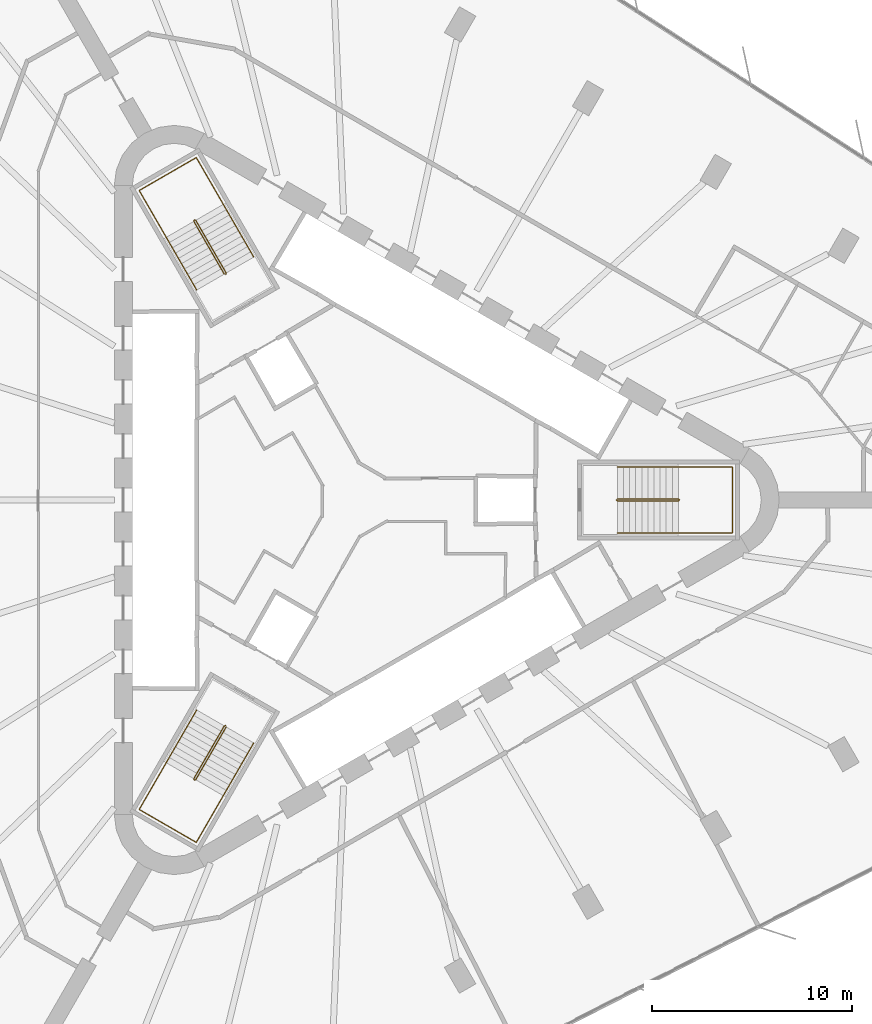
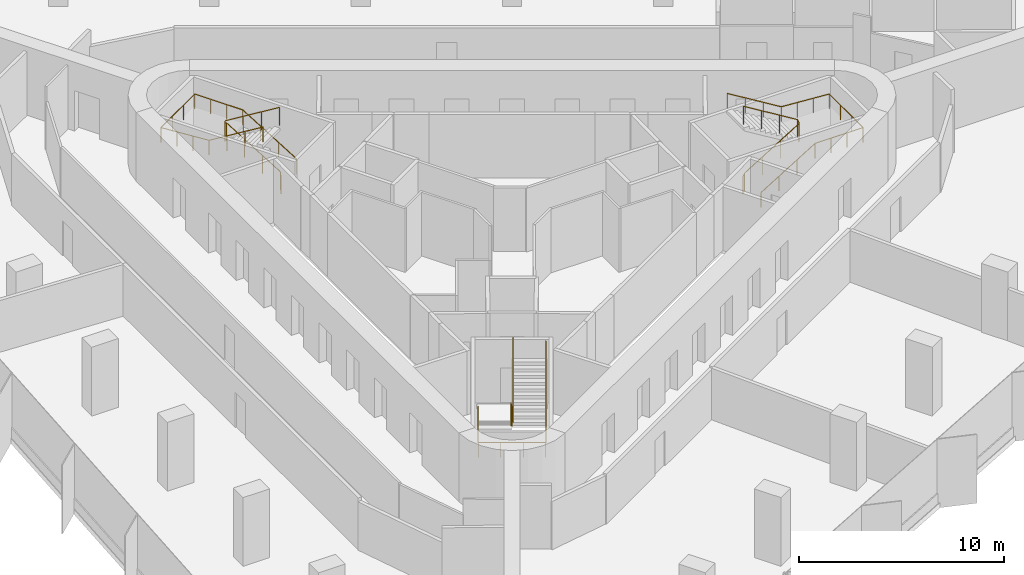
# One storey, part 14 of 14: 6 railings.
"""IFC4 building model written with IfcOpenShell, lengths in metres."""

from ifc_helpers import new_model, si_unit, direction, frame, origin, origin_2d, place, context, subcontext, project, spatial, circle, extrude, material, type_object, element, save


model = new_model("IFC4")

# Units and contexts
model_context = context("Model", 3, precision=1e-05, world=origin(), true_north=direction((0.0, 1.0)))
body_context = subcontext(model_context, "Body", "Model", "MODEL_VIEW")
ifc_project = project(units=[si_unit("LENGTHUNIT", "METRE"), si_unit("AREAUNIT", "SQUARE_METRE"), si_unit("VOLUMEUNIT", "CUBIC_METRE"), si_unit("PLANEANGLEUNIT", "RADIAN"), si_unit("MASSUNIT", "GRAM", prefix="KILO")], contexts=[model_context])

# Site, building, storey
site_placement = place(None, origin())
site = spatial("IfcSite", under=ifc_project, at=site_placement, CompositionType="ELEMENT")
building_placement = place(site_placement, origin())
building = spatial("IfcBuilding", under=site, at=building_placement, Name="Tanit Gate Tower", CompositionType="ELEMENT")
storey_placement = place(building_placement, frame((0.0, 0.0, 74.199951171875)))
storey = spatial("IfcBuildingStorey", under=building, at=storey_placement, Name="L14", CompositionType="ELEMENT", Elevation=74.199951171875)

# Railings
ifc_material_1 = material(Name="Stainless steel balustrade", Category="steel")
railing_type_1 = type_object("IfcRailingType", Name="INT-STAIR-GUARD", PredefinedType="GUARDRAIL", material=ifc_material_1)
railing_1_placement = place(storey_placement, frame((13.044921875, 0.0048828125, 0.0)))
element("IfcRailing", 1, at=railing_1_placement, inside=storey, type_object=railing_type_1, Name="L14 S1 stair guard 1", PredefinedType="GUARDRAIL", context=body_context, shape_type="SweptSolid", body=[
    extrude(circle(Radius=0.02392578125, at=origin_2d()), frame((0.0, 0.0, 1.076171875), z_axis=(0.0, -1.0, 0.0), x_axis=(1.0, 0.0, 0.0)), (0.0, 0.0, 1.0), 0.009765625),
    extrude(circle(Radius=0.02392578125, at=origin_2d()), frame((0.0, -0.009765625, 1.076171875), z_axis=(0.250869701741, -0.250869701741, 0.934948546978), x_axis=(0.707106781187, 0.707106781187, 0.0)), (0.0, 0.0, 1.0), 0.199462890625),
    extrude(circle(Radius=0.02392578125, at=origin_2d()), frame((0.050048828125, -0.059814453125, 1.2626953125), z_axis=(0.853405036568, 0.0, 0.521248351134), x_axis=(0.0, 1.0, 0.0)), (0.0, 0.0, 1.0), 3.5751953125),
    extrude(circle(Radius=0.02392578125, at=origin_2d()), frame((3.10107421875, -0.059814453125, 3.1259765625), z_axis=(0.707106781187, 0.707106781187, 0.0), x_axis=(-0.707106781187, 0.707106781187, 0.0)), (0.0, 0.0, 1.0), 0.07080078125),
    extrude(circle(Radius=0.02392578125, at=origin_2d()), frame((3.151123046875, -0.009765625, 3.1259765625), z_axis=(0.0, 1.0, 0.0), x_axis=(-1.0, 0.0, 0.0)), (0.0, 0.0, 1.0), 0.009765625),
    extrude(circle(Radius=0.02392578125, at=origin_2d()), frame((3.151123046875, 0.0, 3.1259765625), z_axis=(-0.251157038772, 0.251157038772, 0.934794246747), x_axis=(-0.707106781187, -0.707106781187, 0.0)), (0.0, 0.0, 1.0), 0.19921875),
    extrude(circle(Radius=0.02392578125, at=origin_2d()), frame((3.10107421875, 0.050048828125, 3.3125), z_axis=(-0.853374658889, 0.0, 0.521298083217), x_axis=(0.0, -1.0, 0.0)), (0.0, 0.0, 1.0), 3.5751953125),
    extrude(circle(Radius=0.02099609375, at=origin_2d()), origin(), (0.0, 0.0, 1.0), 1.052001953125),
    extrude(circle(Radius=0.02099609375, at=origin_2d()), frame((0.0, -0.009765625, 0.0)), (0.0, 0.0, 1.0), 1.052001953125),
    extrude(circle(Radius=0.02099609375, at=origin_2d()), frame((0.050048828125, -0.059814453125, 0.1865234375)), (0.0, 0.0, 1.0), 1.052001953125),
    extrude(circle(Radius=0.02099609375, at=origin_2d()), frame((1.067138671875, -0.059814453125, 0.8076171875)), (0.0, 0.0, 1.0), 1.052001953125),
    extrude(circle(Radius=0.02099609375, at=origin_2d()), frame((2.083984375, -0.059814453125, 1.428955078125)), (0.0, 0.0, 1.0), 1.052001953125),
    extrude(circle(Radius=0.02099609375, at=origin_2d()), frame((3.10107421875, -0.059814453125, 2.050048828125)), (0.0, 0.0, 1.0), 1.052001953125),
    extrude(circle(Radius=0.02099609375, at=origin_2d()), frame((3.151123046875, -0.009765625, 2.050048828125)), (0.0, 0.0, 1.0), 1.052001953125),
    extrude(circle(Radius=0.02099609375, at=origin_2d()), frame((3.151123046875, 0.0, 2.050048828125)), (0.0, 0.0, 1.0), 1.052001953125),
    extrude(circle(Radius=0.02099609375, at=origin_2d()), frame((3.10107421875, 0.050048828125, 2.236328125)), (0.0, 0.0, 1.0), 1.052001953125),
    extrude(circle(Radius=0.02099609375, at=origin_2d()), frame((2.083984375, 0.050048828125, 2.857666015625)), (0.0, 0.0, 1.0), 1.052001953125),
    extrude(circle(Radius=0.02099609375, at=origin_2d()), frame((1.067138671875, 0.050048828125, 3.478759765625)), (0.0, 0.0, 1.0), 1.052001953125),
    extrude(circle(Radius=0.02099609375, at=origin_2d()), frame((0.050048828125, 0.050048828125, 4.10009765625)), (0.0, 0.0, 1.0), 1.052001953125),
])
railing_2_placement = place(storey_placement, frame((-6.527099609375, 11.29345703125, 0.0)))
element("IfcRailing", 2, at=railing_2_placement, inside=storey, type_object=railing_type_1, Name="L14 S2 stair guard 1", PredefinedType="GUARDRAIL", context=body_context, shape_type="SweptSolid", body=[
    extrude(circle(Radius=0.02392578125, at=origin_2d()), frame((0.0, 0.0, 1.076171875), z_axis=(0.868243142124, 0.496138938357, 0.0), x_axis=(-0.496138938357, 0.868243142124, 0.0)), (0.0, 0.0, 1.0), 0.01171875),
    extrude(circle(Radius=0.02392578125, at=origin_2d()), frame((0.01025390625, 0.005859375, 1.076171875), z_axis=(0.09178331637, 0.342657714447, 0.934966049419), x_axis=(-0.965948051503, 0.258736085224, 0.0)), (0.0, 0.0, 1.0), 0.199462890625),
    extrude(circle(Radius=0.02392578125, at=origin_2d()), frame((0.028564453125, 0.07421875, 1.2626953125), z_axis=(-0.426651696395, 0.73893750972, 0.521478366466), x_axis=(-0.866012246495, -0.500022788402, 0.0)), (0.0, 0.0, 1.0), 3.573486328125),
    extrude(circle(Radius=0.02392578125, at=origin_2d()), frame((-1.49609375, 2.71484375, 3.1259765625), z_axis=(-0.965715946433, 0.259601060869, 0.0), x_axis=(-0.259601060869, -0.965715946433, 0.0)), (0.0, 0.0, 1.0), 0.070556640625),
    extrude(circle(Radius=0.02392578125, at=origin_2d()), frame((-1.564208984375, 2.733154296875, 3.1259765625), z_axis=(-0.873197702015, -0.487366159264, 0.0), x_axis=(0.487366159264, -0.873197702015, 0.0)), (0.0, 0.0, 1.0), 0.011962890625),
    extrude(circle(Radius=0.02392578125, at=origin_2d()), frame((-1.57470703125, 2.727294921875, 3.1259765625), z_axis=(-0.091888445584, -0.343050196848, 0.93481178641), x_axis=(0.965948051503, -0.258736085224, 0.0)), (0.0, 0.0, 1.0), 0.19921875),
    extrude(circle(Radius=0.02392578125, at=origin_2d()), frame((-1.593017578125, 2.658935546875, 3.3125), z_axis=(0.426636495959, -0.738911183393, 0.521528104107), x_axis=(0.866012246495, 0.500022788402, 0.0)), (0.0, 0.0, 1.0), 3.57373046875),
    extrude(circle(Radius=0.02099609375, at=origin_2d()), origin(), (0.0, 0.0, 1.0), 1.052001953125),
    extrude(circle(Radius=0.02099609375, at=origin_2d()), frame((0.01025390625, 0.005859375, 0.0)), (0.0, 0.0, 1.0), 1.052001953125),
    extrude(circle(Radius=0.02099609375, at=origin_2d()), frame((0.028564453125, 0.07421875, 0.1865234375)), (0.0, 0.0, 1.0), 1.052001953125),
    extrude(circle(Radius=0.02099609375, at=origin_2d()), frame((-0.479736328125, 0.954345703125, 0.8076171875)), (0.0, 0.0, 1.0), 1.052001953125),
    extrude(circle(Radius=0.02099609375, at=origin_2d()), frame((-0.98779296875, 1.834716796875, 1.428955078125)), (0.0, 0.0, 1.0), 1.052001953125),
    extrude(circle(Radius=0.02099609375, at=origin_2d()), frame((-1.49609375, 2.71484375, 2.050048828125)), (0.0, 0.0, 1.0), 1.052001953125),
    extrude(circle(Radius=0.02099609375, at=origin_2d()), frame((-1.564208984375, 2.733154296875, 2.050048828125)), (0.0, 0.0, 1.0), 1.052001953125),
    extrude(circle(Radius=0.02099609375, at=origin_2d()), frame((-1.57470703125, 2.727294921875, 2.050048828125)), (0.0, 0.0, 1.0), 1.052001953125),
    extrude(circle(Radius=0.02099609375, at=origin_2d()), frame((-1.593017578125, 2.658935546875, 2.236328125)), (0.0, 0.0, 1.0), 1.052001953125),
    extrude(circle(Radius=0.02099609375, at=origin_2d()), frame((-1.084716796875, 1.77880859375, 2.857666015625)), (0.0, 0.0, 1.0), 1.052001953125),
    extrude(circle(Radius=0.02099609375, at=origin_2d()), frame((-0.57666015625, 0.8984375, 3.478759765625)), (0.0, 0.0, 1.0), 1.052001953125),
    extrude(circle(Radius=0.02099609375, at=origin_2d()), frame((-0.068359375, 0.018310546875, 4.10009765625)), (0.0, 0.0, 1.0), 1.052001953125),
])
railing_3_placement = place(storey_placement, frame((-6.51806640625, -11.2998046875, 0.0)))
element("IfcRailing", 3, at=railing_3_placement, inside=storey, type_object=railing_type_1, Name="L14 S3 stair guard 1", PredefinedType="GUARDRAIL", context=body_context, shape_type="SweptSolid", body=[
    extrude(circle(Radius=0.02392578125, at=origin_2d()), frame((0.0, 0.0, 1.076171875), z_axis=(-0.874157276122, 0.485642931179, 0.0), x_axis=(-0.485642931179, -0.874157276122, 0.0)), (0.0, 0.0, 1.0), 0.010009765625),
    extrude(circle(Radius=0.02392578125, at=origin_2d()), frame((-0.0087890625, 0.0048828125, 1.076171875), z_axis=(-0.342695952383, -0.090569644558, 0.935070384359), x_axis=(0.255512919477, -0.966805641264, 0.0)), (0.0, 0.0, 1.0), 0.199462890625),
    extrude(circle(Radius=0.02392578125, at=origin_2d()), frame((-0.0771484375, -0.01318359375, 1.2626953125), z_axis=(-0.426668548982, -0.73908990167, 0.521248565042), x_axis=(0.866048339477, -0.499960272111, 0.0)), (0.0, 0.0, 1.0), 3.5751953125),
    extrude(circle(Radius=0.02392578125, at=origin_2d()), frame((-1.6025390625, -2.655517578125, 3.1259765625), z_axis=(0.258736085224, -0.965948051503, 0.0), x_axis=(0.965948051503, 0.258736085224, 0.0)), (0.0, 0.0, 1.0), 0.07080078125),
    extrude(circle(Radius=0.02392578125, at=origin_2d()), frame((-1.584228515625, -2.723876953125, 3.1259765625), z_axis=(0.868243142124, -0.496138938357, 0.0), x_axis=(0.496138938357, 0.868243142124, 0.0)), (0.0, 0.0, 1.0), 0.009765625),
    extrude(circle(Radius=0.02392578125, at=origin_2d()), frame((-1.57568359375, -2.728759765625, 3.1259765625), z_axis=(0.343050196848, 0.091888445584, 0.93481178641), x_axis=(-0.258736085224, 0.965948051503, 0.0)), (0.0, 0.0, 1.0), 0.19921875),
    extrude(circle(Radius=0.02392578125, at=origin_2d()), frame((-1.50732421875, -2.71044921875, 3.3125), z_axis=(0.42673074944, 0.739011069041, 0.521309416102), x_axis=(-0.865993683553, 0.500054937028, 0.0)), (0.0, 0.0, 1.0), 3.5751953125),
    extrude(circle(Radius=0.02099609375, at=origin_2d()), origin(), (0.0, 0.0, 1.0), 1.052001953125),
    extrude(circle(Radius=0.02099609375, at=origin_2d()), frame((-0.0087890625, 0.0048828125, 0.0)), (0.0, 0.0, 1.0), 1.052001953125),
    extrude(circle(Radius=0.02099609375, at=origin_2d()), frame((-0.0771484375, -0.01318359375, 0.1865234375)), (0.0, 0.0, 1.0), 1.052001953125),
    extrude(circle(Radius=0.02099609375, at=origin_2d()), frame((-0.585693359375, -0.89404296875, 0.8076171875)), (0.0, 0.0, 1.0), 1.052001953125),
    extrude(circle(Radius=0.02099609375, at=origin_2d()), frame((-1.093994140625, -1.774658203125, 1.428955078125)), (0.0, 0.0, 1.0), 1.052001953125),
    extrude(circle(Radius=0.02099609375, at=origin_2d()), frame((-1.6025390625, -2.655517578125, 2.050048828125)), (0.0, 0.0, 1.0), 1.052001953125),
    extrude(circle(Radius=0.02099609375, at=origin_2d()), frame((-1.584228515625, -2.723876953125, 2.050048828125)), (0.0, 0.0, 1.0), 1.052001953125),
    extrude(circle(Radius=0.02099609375, at=origin_2d()), frame((-1.57568359375, -2.728759765625, 2.050048828125)), (0.0, 0.0, 1.0), 1.052001953125),
    extrude(circle(Radius=0.02099609375, at=origin_2d()), frame((-1.50732421875, -2.71044921875, 2.236328125)), (0.0, 0.0, 1.0), 1.052001953125),
    extrude(circle(Radius=0.02099609375, at=origin_2d()), frame((-0.998779296875, -1.829833984375, 2.857666015625)), (0.0, 0.0, 1.0), 1.052001953125),
    extrude(circle(Radius=0.02099609375, at=origin_2d()), frame((-0.490234375, -0.948974609375, 3.478759765625)), (0.0, 0.0, 1.0), 1.052001953125),
    extrude(circle(Radius=0.02099609375, at=origin_2d()), frame((0.018310546875, -0.068359375, 4.10009765625)), (0.0, 0.0, 1.0), 1.052001953125),
])
ifc_material_2 = material(Name="Stainless steel handrail", Category="steel")
railing_type_2 = type_object("IfcRailingType", Name="INT-STAIR-HANDRAIL", PredefinedType="HANDRAIL", material=ifc_material_2)
railing_4_placement = place(storey_placement, frame((13.094970703125, -1.64990234375, 0.1865234375)))
element("IfcRailing", 4, at=railing_4_placement, inside=storey, type_object=railing_type_2, Name="L14 S1 stair handrail 1", PredefinedType="HANDRAIL", context=body_context, shape_type="SweptSolid", body=[
    extrude(circle(Radius=0.02392578125, at=origin_2d()), frame((0.0, 0.0, 0.8759765625), z_axis=(0.853405036568, 0.0, 0.521248351134), x_axis=(0.0, 1.0, 0.0)), (0.0, 0.0, 1.0), 3.5751953125),
    extrude(circle(Radius=0.02392578125, at=origin_2d()), frame((3.051025390625, 0.0, 2.7392578125), z_axis=(1.0, 0.0, 0.0), x_axis=(0.0, 1.0, 0.0)), (0.0, 0.0, 1.0), 2.7041015625),
    extrude(circle(Radius=0.02392578125, at=origin_2d()), frame((5.755126953125, 0.0, 2.7392578125), z_axis=(0.0, 1.0, 0.0), x_axis=(-1.0, 0.0, 0.0)), (0.0, 0.0, 1.0), 3.2998046875),
    extrude(circle(Radius=0.02392578125, at=origin_2d()), frame((5.755126953125, 3.2998046875, 2.7392578125), z_axis=(-0.997635655124, 0.0, 0.06872481084), x_axis=(0.0, -1.0, 0.0)), (0.0, 0.0, 1.0), 2.71044921875),
    extrude(circle(Radius=0.02392578125, at=origin_2d()), frame((3.051025390625, 3.2998046875, 2.92578125), z_axis=(-0.853374658889, 0.0, 0.521298083217), x_axis=(0.0, -1.0, 0.0)), (0.0, 0.0, 1.0), 3.5751953125),
    extrude(circle(Radius=0.02099609375, at=origin_2d()), origin(), (0.0, 0.0, 1.0), 0.851806640625),
    extrude(circle(Radius=0.02099609375, at=origin_2d()), frame((1.01708984375, 0.0, 0.62109375)), (0.0, 0.0, 1.0), 0.851806640625),
    extrude(circle(Radius=0.02099609375, at=origin_2d()), frame((2.033935546875, 0.0, 1.242431640625)), (0.0, 0.0, 1.0), 0.851806640625),
    extrude(circle(Radius=0.02099609375, at=origin_2d()), frame((3.051025390625, 0.0, 1.863525390625)), (0.0, 0.0, 1.0), 0.851806640625),
    extrude(circle(Radius=0.02099609375, at=origin_2d()), frame((3.952392578125, 0.0, 1.863525390625)), (0.0, 0.0, 1.0), 0.851806640625),
    extrude(circle(Radius=0.02099609375, at=origin_2d()), frame((4.853759765625, 0.0, 1.863525390625)), (0.0, 0.0, 1.0), 0.851806640625),
    extrude(circle(Radius=0.02099609375, at=origin_2d()), frame((5.755126953125, 0.0, 1.863525390625)), (0.0, 0.0, 1.0), 0.851806640625),
    extrude(circle(Radius=0.02099609375, at=origin_2d()), frame((5.755126953125, 1.099853515625, 1.863525390625)), (0.0, 0.0, 1.0), 0.851806640625),
    extrude(circle(Radius=0.02099609375, at=origin_2d()), frame((5.755126953125, 2.199951171875, 1.863525390625)), (0.0, 0.0, 1.0), 0.851806640625),
    extrude(circle(Radius=0.02099609375, at=origin_2d()), frame((5.755126953125, 3.2998046875, 1.863525390625)), (0.0, 0.0, 1.0), 0.851806640625),
    extrude(circle(Radius=0.02099609375, at=origin_2d()), frame((4.853759765625, 3.2998046875, 1.925537109375)), (0.0, 0.0, 1.0), 0.851806640625),
    extrude(circle(Radius=0.02099609375, at=origin_2d()), frame((3.952392578125, 3.2998046875, 1.98779296875)), (0.0, 0.0, 1.0), 0.851806640625),
    extrude(circle(Radius=0.02099609375, at=origin_2d()), frame((3.051025390625, 3.2998046875, 2.0498046875)), (0.0, 0.0, 1.0), 0.851806640625),
    extrude(circle(Radius=0.02099609375, at=origin_2d()), frame((2.033935546875, 3.2998046875, 2.671142578125)), (0.0, 0.0, 1.0), 0.851806640625),
    extrude(circle(Radius=0.02099609375, at=origin_2d()), frame((1.01708984375, 3.2998046875, 3.292236328125)), (0.0, 0.0, 1.0), 0.851806640625),
    extrude(circle(Radius=0.02099609375, at=origin_2d()), frame((0.0, 3.2998046875, 3.91357421875)), (0.0, 0.0, 1.0), 0.851806640625),
])
railing_5_placement = place(storey_placement, frame((-5.1181640625, 12.164794921875, 0.1865234375)))
element("IfcRailing", 5, at=railing_5_placement, inside=storey, type_object=railing_type_2, Name="L14 S2 stair handrail 1", PredefinedType="HANDRAIL", context=body_context, shape_type="SweptSolid", body=[
    extrude(circle(Radius=0.02392578125, at=origin_2d()), frame((0.0, 0.0, 0.8759765625), z_axis=(-0.426595811233, 0.738959047773, 0.521493566166), x_axis=(-0.866046917185, -0.499962735845, 0.0)), (0.0, 0.0, 1.0), 3.573486328125),
    extrude(circle(Radius=0.02392578125, at=origin_2d()), frame((-1.5244140625, 2.640625, 2.7392578125), z_axis=(-0.500019123664, 0.86601436245, 0.0), x_axis=(-0.86601436245, -0.500019123664, 0.0)), (0.0, 0.0, 1.0), 2.70703125),
    extrude(circle(Radius=0.02392578125, at=origin_2d()), frame((-2.8779296875, 4.98486328125, 2.7392578125), z_axis=(-0.866008176907, -0.50002983664, 0.0), x_axis=(0.50002983664, -0.866008176907, 0.0)), (0.0, 0.0, 1.0), 3.300048828125),
    extrude(circle(Radius=0.02392578125, at=origin_2d()), frame((-5.73583984375, 3.334716796875, 2.7392578125), z_axis=(0.498878146149, -0.863948246966, 0.06865873476), x_axis=(0.865991810323, 0.500058181068, 0.0)), (0.0, 0.0, 1.0), 2.713134765625),
    extrude(circle(Radius=0.02392578125, at=origin_2d()), frame((-4.38232421875, 0.99072265625, 2.92578125), z_axis=(0.42661496006, -0.738942197433, 0.521501778238), x_axis=(0.866032263162, 0.499988119021, 0.0)), (0.0, 0.0, 1.0), 3.57373046875),
    extrude(circle(Radius=0.02099609375, at=origin_2d()), origin(), (0.0, 0.0, 1.0), 0.851806640625),
    extrude(circle(Radius=0.02099609375, at=origin_2d()), frame((-0.508056640625, 0.880126953125, 0.62109375)), (0.0, 0.0, 1.0), 0.851806640625),
    extrude(circle(Radius=0.02099609375, at=origin_2d()), frame((-1.016357421875, 1.760498046875, 1.242431640625)), (0.0, 0.0, 1.0), 0.851806640625),
    extrude(circle(Radius=0.02099609375, at=origin_2d()), frame((-1.5244140625, 2.640625, 1.863525390625)), (0.0, 0.0, 1.0), 0.851806640625),
    extrude(circle(Radius=0.02099609375, at=origin_2d()), frame((-1.9755859375, 3.422119140625, 1.863525390625)), (0.0, 0.0, 1.0), 0.851806640625),
    extrude(circle(Radius=0.02099609375, at=origin_2d()), frame((-2.4267578125, 4.203369140625, 1.863525390625)), (0.0, 0.0, 1.0), 0.851806640625),
    extrude(circle(Radius=0.02099609375, at=origin_2d()), frame((-2.8779296875, 4.98486328125, 1.863525390625)), (0.0, 0.0, 1.0), 0.851806640625),
    extrude(circle(Radius=0.02099609375, at=origin_2d()), frame((-3.83056640625, 4.434814453125, 1.863525390625)), (0.0, 0.0, 1.0), 0.851806640625),
    extrude(circle(Radius=0.02099609375, at=origin_2d()), frame((-4.783203125, 3.884765625, 1.863525390625)), (0.0, 0.0, 1.0), 0.851806640625),
    extrude(circle(Radius=0.02099609375, at=origin_2d()), frame((-5.73583984375, 3.334716796875, 1.863525390625)), (0.0, 0.0, 1.0), 0.851806640625),
    extrude(circle(Radius=0.02099609375, at=origin_2d()), frame((-5.28466796875, 2.553466796875, 1.925537109375)), (0.0, 0.0, 1.0), 0.851806640625),
    extrude(circle(Radius=0.02099609375, at=origin_2d()), frame((-4.83349609375, 1.77197265625, 1.98779296875)), (0.0, 0.0, 1.0), 0.851806640625),
    extrude(circle(Radius=0.02099609375, at=origin_2d()), frame((-4.38232421875, 0.99072265625, 2.0498046875)), (0.0, 0.0, 1.0), 0.851806640625),
    extrude(circle(Radius=0.02099609375, at=origin_2d()), frame((-3.8740234375, 0.1103515625, 2.671142578125)), (0.0, 0.0, 1.0), 0.851806640625),
    extrude(circle(Radius=0.02099609375, at=origin_2d()), frame((-3.365966796875, -0.769775390625, 3.292236328125)), (0.0, 0.0, 1.0), 0.851806640625),
    extrude(circle(Radius=0.02099609375, at=origin_2d()), frame((-2.857666015625, -1.650146484375, 3.91357421875)), (0.0, 0.0, 1.0), 0.851806640625),
])
railing_6_placement = place(storey_placement, frame((-7.9765625, -10.515625, 0.1865234375)))
element("IfcRailing", 6, at=railing_6_placement, inside=storey, type_object=railing_type_2, Name="L14 S3 stair handrail 1", PredefinedType="HANDRAIL", context=body_context, shape_type="SweptSolid", body=[
    extrude(circle(Radius=0.02392578125, at=origin_2d()), frame((0.0, 0.0, 0.8759765625), z_axis=(-0.426668548982, -0.73908990167, 0.521248565042), x_axis=(0.866048339477, -0.499960272111, 0.0)), (0.0, 0.0, 1.0), 3.5751953125),
    extrude(circle(Radius=0.02392578125, at=origin_2d()), frame((-1.525390625, -2.642333984375, 2.7392578125), z_axis=(-0.50004290449, -0.866000631449, 0.0), x_axis=(0.866000631449, -0.50004290449, 0.0)), (0.0, 0.0, 1.0), 2.703857421875),
    extrude(circle(Radius=0.02392578125, at=origin_2d()), frame((-2.87744140625, -4.98388671875, 2.7392578125), z_axis=(0.866008176907, -0.50002983664, 0.0), x_axis=(0.50002983664, 0.866008176907, 0.0)), (0.0, 0.0, 1.0), 3.300048828125),
    extrude(circle(Radius=0.02392578125, at=origin_2d()), frame((-0.01953125, -6.634033203125, 2.7392578125), z_axis=(0.498821607388, 0.86397559734, 0.068725331607), x_axis=(-0.866023205937, 0.500003806764, 0.0)), (0.0, 0.0, 1.0), 2.71044921875),
    extrude(circle(Radius=0.02392578125, at=origin_2d()), frame((1.33251953125, -4.292236328125, 2.92578125), z_axis=(0.42665336134, 0.739063593114, 0.52129829713), x_axis=(-0.866048339477, 0.499960272111, 0.0)), (0.0, 0.0, 1.0), 3.5751953125),
    extrude(circle(Radius=0.02099609375, at=origin_2d()), origin(), (0.0, 0.0, 1.0), 0.851806640625),
    extrude(circle(Radius=0.02099609375, at=origin_2d()), frame((-0.508544921875, -0.880859375, 0.62109375)), (0.0, 0.0, 1.0), 0.851806640625),
    extrude(circle(Radius=0.02099609375, at=origin_2d()), frame((-1.016845703125, -1.761474609375, 1.242431640625)), (0.0, 0.0, 1.0), 0.851806640625),
    extrude(circle(Radius=0.02099609375, at=origin_2d()), frame((-1.525390625, -2.642333984375, 1.863525390625)), (0.0, 0.0, 1.0), 0.851806640625),
    extrude(circle(Radius=0.02099609375, at=origin_2d()), frame((-1.97607421875, -3.4228515625, 1.863525390625)), (0.0, 0.0, 1.0), 0.851806640625),
    extrude(circle(Radius=0.02099609375, at=origin_2d()), frame((-2.4267578125, -4.203369140625, 1.863525390625)), (0.0, 0.0, 1.0), 0.851806640625),
    extrude(circle(Radius=0.02099609375, at=origin_2d()), frame((-2.87744140625, -4.98388671875, 1.863525390625)), (0.0, 0.0, 1.0), 0.851806640625),
    extrude(circle(Radius=0.02099609375, at=origin_2d()), frame((-1.9248046875, -5.533935546875, 1.863525390625)), (0.0, 0.0, 1.0), 0.851806640625),
    extrude(circle(Radius=0.02099609375, at=origin_2d()), frame((-0.97216796875, -6.083984375, 1.863525390625)), (0.0, 0.0, 1.0), 0.851806640625),
    extrude(circle(Radius=0.02099609375, at=origin_2d()), frame((-0.01953125, -6.634033203125, 1.863525390625)), (0.0, 0.0, 1.0), 0.851806640625),
    extrude(circle(Radius=0.02099609375, at=origin_2d()), frame((0.43115234375, -5.853515625, 1.925537109375)), (0.0, 0.0, 1.0), 0.851806640625),
    extrude(circle(Radius=0.02099609375, at=origin_2d()), frame((0.8818359375, -5.07275390625, 1.98779296875)), (0.0, 0.0, 1.0), 0.851806640625),
    extrude(circle(Radius=0.02099609375, at=origin_2d()), frame((1.33251953125, -4.292236328125, 2.0498046875)), (0.0, 0.0, 1.0), 0.851806640625),
    extrude(circle(Radius=0.02099609375, at=origin_2d()), frame((1.841064453125, -3.411376953125, 2.671142578125)), (0.0, 0.0, 1.0), 0.851806640625),
    extrude(circle(Radius=0.02099609375, at=origin_2d()), frame((2.349365234375, -2.53076171875, 3.292236328125)), (0.0, 0.0, 1.0), 0.851806640625),
    extrude(circle(Radius=0.02099609375, at=origin_2d()), frame((2.85791015625, -1.64990234375, 3.91357421875)), (0.0, 0.0, 1.0), 0.851806640625),
])

save(model, "model.ifc")
